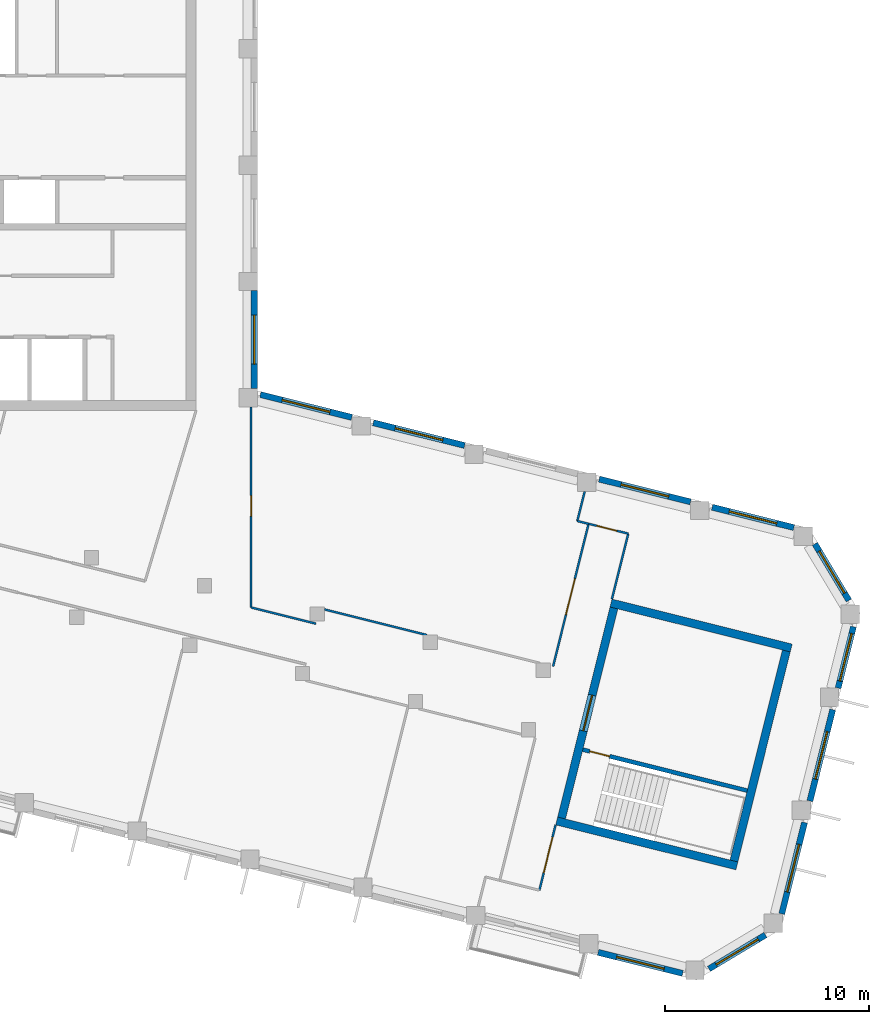
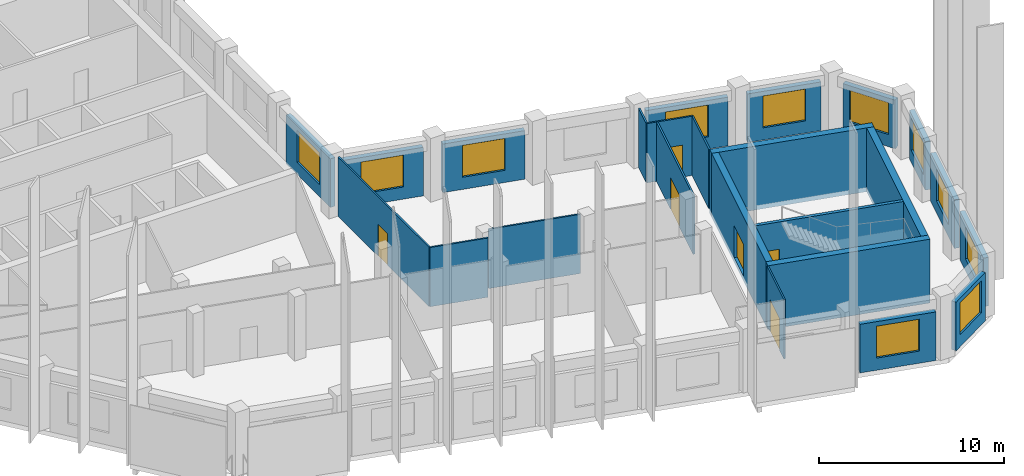
# One storey, part 4 of 8: 25 walls, 11 windows, 6 doors, 17 openings.
"""IFC4 building model written with IfcOpenShell, lengths in metres."""

from ifc_helpers import new_model, si_unit, direction, frame, frame_2d, origin, place, context, subcontext, project, spatial, rectangle, extrude, material, layer, layer_set, type_object, element, fill, save


model = new_model("IFC4")

# Units and contexts
model_context = context("Model", 3, precision=1e-05, world=origin(), true_north=direction((0.0, 1.0)))
body_context = subcontext(model_context, "Body", "Model", "MODEL_VIEW")
ifc_project = project(units=[si_unit("LENGTHUNIT", "METRE"), si_unit("AREAUNIT", "SQUARE_METRE"), si_unit("VOLUMEUNIT", "CUBIC_METRE"), si_unit("PLANEANGLEUNIT", "RADIAN"), si_unit("MASSUNIT", "GRAM", prefix="KILO")], contexts=[model_context])

# Site, building, storey
site_placement = place(None, origin())
site = spatial("IfcSite", under=ifc_project, at=site_placement, CompositionType="ELEMENT")
building_placement = place(site_placement, origin())
building = spatial("IfcBuilding", under=site, at=building_placement, Name="Meshkara Civic Tower", CompositionType="ELEMENT")
storey_placement = place(building_placement, frame((0.0, 0.0, 354.0)))
storey = spatial("IfcBuildingStorey", under=building, at=storey_placement, Name="L81", CompositionType="ELEMENT", Elevation=354.0)

# Wall, opening, door
ifc_material_1 = material(Name="Corridor wall 100")
ifc_layer_1 = layer(ifc_material_1, 0.10009765625)
ifc_layer_set_1 = layer_set([ifc_layer_1], Name="Corridor wall 100")
wall_type_1 = type_object("IfcWallType", Name="Corridor wall 100", PredefinedType="PARTITIONING", material=ifc_layer_set_1)
wall_1_placement = place(storey_placement, frame((33.5, 4.452880859375, 0.0), z_axis=(0.0, 0.0, 1.0), x_axis=(0.0, 1.0, 0.0)))
wall_1 = element("IfcWall", 1, at=wall_1_placement, inside=storey, type_object=wall_type_1, Name="L81-W020", PredefinedType="PARTITIONING", context=body_context, shape_type="SweptSolid", body=[
    extrude(rectangle(XDim=9.816162109375, YDim=0.10009765625, at=frame_2d((4.908203125, 0.0))), origin(), (0.0, 0.0, 1.0), 3.89990234375),
])
opening_1_placement = place(wall_1_placement, frame((4.47998046875, 0.0, 0.0)))
opening_1 = element("IfcOpeningElement", 2, at=opening_1_placement, cuts=wall_1, Name="Opening L81-D009", PredefinedType="OPENING", context=body_context, shape_type="SweptSolid", body=[
    extrude(rectangle(XDim=1.0, YDim=2.10009765625, at=frame_2d((0.5, 1.050048828125))), frame((0.0, 0.06005859375, 0.0), z_axis=(0.0, -1.0, 0.0), x_axis=(1.0, 0.0, 0.0)), (0.0, 0.0, 1.0), 0.1201171875),
])
ifc_material_2 = material(Name="Door 1000 x 2100")
door_type_1 = type_object("IfcDoorType", Name="Door 1000 x 2100", OperationType="SINGLE_SWING_LEFT", PredefinedType="DOOR", material=ifc_material_2)
door_1_placement = place(opening_1_placement, origin())
door_1 = element("IfcDoor", 3, at=door_1_placement, inside=storey, type_object=door_type_1, Name="L81-D009", OperationType="SINGLE_SWING_LEFT", OverallHeight=2.10009765625, OverallWidth=1.0, PredefinedType="DOOR", context=body_context, shape_type="SweptSolid", body=[
    extrude(rectangle(XDim=1.0, YDim=2.10009765625, at=frame_2d((0.5, 1.050048828125))), frame((0.0, 0.02490234375, 0.0), z_axis=(0.0, -1.0, 0.0), x_axis=(1.0, 0.0, 0.0)), (0.0, 0.0, 1.0), 0.050048828125),
])
fill(opening_1, door_1)

# Walls
wall_2_placement = place(storey_placement, frame((36.669921875, 3.6630859375, 0.0), z_axis=(0.0, 0.0, 1.0), x_axis=(-0.970335618677, 0.241761839681, 0.0)))
element("IfcWall", 4, at=wall_2_placement, inside=storey, type_object=wall_type_1, Name="L81-W022", PredefinedType="PARTITIONING", context=body_context, shape_type="SweptSolid", body=[
    extrude(rectangle(XDim=3.266845703125, YDim=0.10009765625, at=frame_2d((1.63330078125, 0.0))), origin(), (0.0, 0.0, 1.0), 3.89990234375),
])
wall_3_placement = place(storey_placement, frame((42.10888671875, 3.10498046875, 0.0), z_axis=(0.0, 0.0, 1.0), x_axis=(-0.970289531541, 0.241946739969, 0.0)))
element("IfcWall", 5, at=wall_3_placement, inside=storey, type_object=wall_type_1, Name="L81-W024", PredefinedType="PARTITIONING", context=body_context, shape_type="SweptSolid", body=[
    extrude(rectangle(XDim=5.17041015625, YDim=0.10009765625, at=frame_2d((2.585205078125, 0.0))), origin(), (0.0, 0.0, 1.0), 3.89990234375),
])

# Wall, opening, door
wall_4_placement = place(storey_placement, frame((47.611083984375, -9.39697265625, 0.0), z_axis=(0.0, 0.0, 1.0), x_axis=(0.241786986316, 0.970329352977, 0.0)))
wall_4 = element("IfcWall", 6, at=wall_4_placement, inside=storey, type_object=wall_type_1, Name="L81-W027", PredefinedType="PARTITIONING", context=body_context, shape_type="SweptSolid", body=[
    extrude(rectangle(XDim=3.2998046875, YDim=0.10009765625, at=frame_2d((1.64990234375, 0.0))), origin(), (0.0, 0.0, 1.0), 3.89990234375),
])
opening_2_placement = place(wall_4_placement, frame((0.8798828125, 0.0, 0.0)))
opening_2 = element("IfcOpeningElement", 7, at=opening_2_placement, cuts=wall_4, Name="Opening L81-D001", PredefinedType="OPENING", context=body_context, shape_type="SweptSolid", body=[
    extrude(rectangle(XDim=1.800048828125, YDim=2.10009765625, at=frame_2d((0.89990234375, 1.050048828125))), frame((0.0, 0.06005859375, 0.0), z_axis=(0.0, -1.0, 0.0), x_axis=(1.0, 0.0, 0.0)), (0.0, 0.0, 1.0), 0.1201171875),
])
ifc_material_3 = material(Name="Door pair 1800 x 2100")
door_type_2 = type_object("IfcDoorType", Name="Door pair 1800 x 2100", OperationType="SINGLE_SWING_LEFT", PredefinedType="DOOR", material=ifc_material_3)
door_2_placement = place(opening_2_placement, origin())
door_2 = element("IfcDoor", 8, at=door_2_placement, inside=storey, type_object=door_type_2, Name="L81-D001", OperationType="DOUBLE_DOOR_SINGLE_SWING", OverallHeight=2.10009765625, OverallWidth=1.800048828125, PredefinedType="DOOR", context=body_context, shape_type="SweptSolid", body=[
    extrude(rectangle(XDim=1.800048828125, YDim=2.10009765625, at=frame_2d((0.89990234375, 1.050048828125))), frame((0.0, 0.02490234375, 0.0), z_axis=(0.0, -1.0, 0.0), x_axis=(1.0, 0.0, 0.0)), (0.0, 0.0, 1.0), 0.050048828125),
])
fill(opening_2, door_2)

wall_5_placement = place(storey_placement, frame((50.02490234375, 8.552001953125, 0.0), z_axis=(0.0, 0.0, 1.0), x_axis=(-0.241937193493, -0.970291911955, 0.0)))
wall_5 = element("IfcWall", 9, at=wall_5_placement, inside=storey, type_object=wall_type_1, Name="L81-W029", PredefinedType="PARTITIONING", context=body_context, shape_type="SweptSolid", body=[
    extrude(rectangle(XDim=7.199951171875, YDim=0.10009765625, at=frame_2d((3.60009765625, 0.0))), origin(), (0.0, 0.0, 1.0), 3.89990234375),
])
opening_3_placement = place(wall_5_placement, frame((2.780029296875, 0.0, 0.0)))
opening_3 = element("IfcOpeningElement", 10, at=opening_3_placement, cuts=wall_5, Name="Opening L81-D005", PredefinedType="OPENING", context=body_context, shape_type="SweptSolid", body=[
    extrude(rectangle(XDim=1.800048828125, YDim=2.10009765625, at=frame_2d((0.89990234375, 1.050048828125))), frame((0.0, 0.06005859375, 0.0), z_axis=(0.0, -1.0, 0.0), x_axis=(1.0, 0.0, 0.0)), (0.0, 0.0, 1.0), 0.1201171875),
])
door_3_placement = place(opening_3_placement, origin())
door_3 = element("IfcDoor", 11, at=door_3_placement, inside=storey, type_object=door_type_2, Name="L81-D005", OperationType="DOUBLE_DOOR_SINGLE_SWING", OverallHeight=2.10009765625, OverallWidth=1.800048828125, PredefinedType="DOOR", context=body_context, shape_type="SweptSolid", body=[
    extrude(rectangle(XDim=1.800048828125, YDim=2.10009765625, at=frame_2d((0.89990234375, 1.050048828125))), frame((0.0, 0.02490234375, 0.0), z_axis=(0.0, -1.0, 0.0), x_axis=(1.0, 0.0, 0.0)), (0.0, 0.0, 1.0), 0.050048828125),
])
fill(opening_3, door_3)

# Wall
wall_6_placement = place(storey_placement, frame((51.1669921875, 4.865966796875, 0.0), z_axis=(0.0, 0.0, 1.0), x_axis=(0.241839284064, 0.97031631991, 0.0)))
element("IfcWall", 12, at=wall_6_placement, inside=storey, type_object=wall_type_1, Name="L81-W030", PredefinedType="PARTITIONING", context=body_context, shape_type="SweptSolid", body=[
    extrude(rectangle(XDim=3.300048828125, YDim=0.10009765625, at=frame_2d((1.64990234375, 0.0))), origin(), (0.0, 0.0, 1.0), 3.89990234375),
])

# Wall, opening, door
wall_7_placement = place(storey_placement, frame((51.965087890625, 8.068115234375, 0.0), z_axis=(0.0, 0.0, 1.0), x_axis=(-0.970278804284, 0.241989755894, 0.0)))
wall_7 = element("IfcWall", 13, at=wall_7_placement, inside=storey, type_object=wall_type_1, Name="L81-W031", PredefinedType="PARTITIONING", context=body_context, shape_type="SweptSolid", body=[
    extrude(rectangle(XDim=1.99951171875, YDim=0.10009765625, at=frame_2d((0.999755859375, 0.0))), origin(), (0.0, 0.0, 1.0), 3.89990234375),
])
opening_4_placement = place(wall_7_placement, frame((0.580078125, 0.0, 0.0)))
opening_4 = element("IfcOpeningElement", 14, at=opening_4_placement, cuts=wall_7, Name="Opening L81-D010", PredefinedType="OPENING", context=body_context, shape_type="SweptSolid", body=[
    extrude(rectangle(XDim=1.0, YDim=2.10009765625, at=frame_2d((0.5, 1.050048828125))), frame((0.0, 0.06005859375, 0.0), z_axis=(0.0, -1.0, 0.0), x_axis=(1.0, 0.0, 0.0)), (0.0, 0.0, 1.0), 0.1201171875),
])
door_4_placement = place(opening_4_placement, origin())
door_4 = element("IfcDoor", 15, at=door_4_placement, inside=storey, type_object=door_type_1, Name="L81-D010", OperationType="SINGLE_SWING_LEFT", OverallHeight=2.10009765625, OverallWidth=1.0, PredefinedType="DOOR", context=body_context, shape_type="SweptSolid", body=[
    extrude(rectangle(XDim=1.0, YDim=2.10009765625, at=frame_2d((0.5, 1.050048828125))), frame((0.0, 0.02490234375, 0.0), z_axis=(0.0, -1.0, 0.0), x_axis=(1.0, 0.0, 0.0)), (0.0, 0.0, 1.0), 0.050048828125),
])
fill(opening_4, door_4)

# Wall, opening, window
ifc_material_4 = material(Name="Insulated infill panel with bronze anodised aluminium cladding", Category="aluminium")
ifc_layer_2 = layer(ifc_material_4, 0.300048828125)
ifc_layer_set_2 = layer_set([ifc_layer_2], Name="EXTERNAL INFILL WALL 300")
wall_type_2 = type_object("IfcWallType", Name="EXTERNAL INFILL WALL 300", PredefinedType="SOLIDWALL", material=ifc_layer_set_2)
wall_8_placement = place(storey_placement, frame((60.075927734375, 8.364990234375, 0.0), z_axis=(0.0, 0.0, 1.0), x_axis=(-0.970323340708, 0.24181111322, 0.0)))
wall_8 = element("IfcWall", 16, at=wall_8_placement, inside=storey, type_object=wall_type_2, Name="External wall", PredefinedType="SOLIDWALL", context=body_context, shape_type="SweptSolid", body=[
    extrude(rectangle(XDim=4.123291015625, YDim=0.300048828125, at=frame_2d((2.0615234375, 0.0))), origin(), (0.0, 0.0, 1.0), 3.199951171875),
])
opening_5_placement = place(wall_8_placement, frame((0.862060546875, 0.0, 0.800048828125)))
opening_5 = element("IfcOpeningElement", 17, at=opening_5_placement, cuts=wall_8, Name="Opening W7", PredefinedType="OPENING", context=body_context, shape_type="SweptSolid", body=[
    extrude(rectangle(XDim=2.39990234375, YDim=2.10009765625, at=frame_2d((1.199951171875, 1.050048828125))), frame((0.0, 0.159912109375, 0.0), z_axis=(0.0, -1.0, 0.0), x_axis=(1.0, 0.0, 0.0)), (0.0, 0.0, 1.0), 0.320068359375),
])
ifc_material_5 = material(Name="Tinted double glazing", Category="glass")
window_type = type_object("IfcWindowType", Name="WINDOW 2400x2100", PartitioningType="DOUBLE_PANEL_VERTICAL", PredefinedType="WINDOW", material=ifc_material_5)
window_1_placement = place(opening_5_placement, origin())
window_1 = element("IfcWindow", 18, at=window_1_placement, inside=storey, type_object=window_type, Name="Window", OverallHeight=2.10009765625, OverallWidth=2.39990234375, PartitioningType="DOUBLE_PANEL_VERTICAL", PredefinedType="WINDOW", context=body_context, shape_type="SweptSolid", body=[
    extrude(rectangle(XDim=2.39990234375, YDim=2.10009765625, at=frame_2d((1.199951171875, 1.050048828125))), frame((0.0, 0.030029296875, 0.0), z_axis=(0.0, -1.0, 0.0), x_axis=(1.0, 0.0, 0.0)), (0.0, 0.0, 1.0), 0.06005859375),
])
fill(opening_5, window_1)

wall_9_placement = place(storey_placement, frame((55.01611328125, 9.6259765625, 0.0), z_axis=(0.0, 0.0, 1.0), x_axis=(-0.970298093093, 0.241912402618, 0.0)))
wall_9 = element("IfcWall", 19, at=wall_9_placement, inside=storey, type_object=wall_type_2, Name="External wall", PredefinedType="SOLIDWALL", context=body_context, shape_type="SweptSolid", body=[
    extrude(rectangle(XDim=4.609130859375, YDim=0.300048828125, at=frame_2d((2.3046875, 0.0))), origin(), (0.0, 0.0, 1.0), 3.199951171875),
])
opening_6_placement = place(wall_9_placement, frame((1.10498046875, 0.0, 0.800048828125)))
opening_6 = element("IfcOpeningElement", 20, at=opening_6_placement, cuts=wall_9, Name="Opening W7", PredefinedType="OPENING", context=body_context, shape_type="SweptSolid", body=[
    extrude(rectangle(XDim=2.39990234375, YDim=2.10009765625, at=frame_2d((1.199951171875, 1.050048828125))), frame((0.0, 0.159912109375, 0.0), z_axis=(0.0, -1.0, 0.0), x_axis=(1.0, 0.0, 0.0)), (0.0, 0.0, 1.0), 0.320068359375),
])
window_2_placement = place(opening_6_placement, origin())
window_2 = element("IfcWindow", 21, at=window_2_placement, inside=storey, type_object=window_type, Name="Window", OverallHeight=2.10009765625, OverallWidth=2.39990234375, PartitioningType="DOUBLE_PANEL_VERTICAL", PredefinedType="WINDOW", context=body_context, shape_type="SweptSolid", body=[
    extrude(rectangle(XDim=2.39990234375, YDim=2.10009765625, at=frame_2d((1.199951171875, 1.050048828125))), frame((0.0, 0.030029296875, 0.0), z_axis=(0.0, -1.0, 0.0), x_axis=(1.0, 0.0, 0.0)), (0.0, 0.0, 1.0), 0.06005859375),
])
fill(opening_6, window_2)

wall_10_placement = place(storey_placement, frame((43.9541015625, 12.384033203125, 0.0), z_axis=(0.0, 0.0, 1.0), x_axis=(-0.970285689791, 0.241962146187, 0.0)))
wall_10 = element("IfcWall", 22, at=wall_10_placement, inside=storey, type_object=wall_type_2, Name="External wall", PredefinedType="SOLIDWALL", context=body_context, shape_type="SweptSolid", body=[
    extrude(rectangle(XDim=4.608154296875, YDim=0.300048828125, at=frame_2d((2.30419921875, 0.0))), origin(), (0.0, 0.0, 1.0), 3.199951171875),
])
opening_7_placement = place(wall_10_placement, frame((1.10400390625, 0.0, 0.800048828125)))
opening_7 = element("IfcOpeningElement", 23, at=opening_7_placement, cuts=wall_10, Name="Opening W7", PredefinedType="OPENING", context=body_context, shape_type="SweptSolid", body=[
    extrude(rectangle(XDim=2.39990234375, YDim=2.10009765625, at=frame_2d((1.199951171875, 1.050048828125))), frame((0.0, 0.159912109375, 0.0), z_axis=(0.0, -1.0, 0.0), x_axis=(1.0, 0.0, 0.0)), (0.0, 0.0, 1.0), 0.320068359375),
])
window_3_placement = place(opening_7_placement, origin())
window_3 = element("IfcWindow", 24, at=window_3_placement, inside=storey, type_object=window_type, Name="Window", OverallHeight=2.10009765625, OverallWidth=2.39990234375, PartitioningType="DOUBLE_PANEL_VERTICAL", PredefinedType="WINDOW", context=body_context, shape_type="SweptSolid", body=[
    extrude(rectangle(XDim=2.39990234375, YDim=2.10009765625, at=frame_2d((1.199951171875, 1.050048828125))), frame((0.0, 0.030029296875, 0.0), z_axis=(0.0, -1.0, 0.0), x_axis=(1.0, 0.0, 0.0)), (0.0, 0.0, 1.0), 0.06005859375),
])
fill(opening_7, window_3)

wall_11_placement = place(storey_placement, frame((38.424072265625, 13.762939453125, 0.0), z_axis=(0.0, 0.0, 1.0), x_axis=(-0.970248341479, 0.24211186641, 0.0)))
wall_11 = element("IfcWall", 25, at=wall_11_placement, inside=storey, type_object=wall_type_2, Name="External wall", PredefinedType="SOLIDWALL", context=body_context, shape_type="SweptSolid", body=[
    extrude(rectangle(XDim=4.609375, YDim=0.300048828125, at=frame_2d((2.3046875, 0.0))), origin(), (0.0, 0.0, 1.0), 3.199951171875),
])
opening_8_placement = place(wall_11_placement, frame((1.10498046875, 0.0, 0.800048828125)))
opening_8 = element("IfcOpeningElement", 26, at=opening_8_placement, cuts=wall_11, Name="Opening W7", PredefinedType="OPENING", context=body_context, shape_type="SweptSolid", body=[
    extrude(rectangle(XDim=2.39990234375, YDim=2.10009765625, at=frame_2d((1.199951171875, 1.050048828125))), frame((0.0, 0.159912109375, 0.0), z_axis=(0.0, -1.0, 0.0), x_axis=(1.0, 0.0, 0.0)), (0.0, 0.0, 1.0), 0.320068359375),
])
window_4_placement = place(opening_8_placement, origin())
window_4 = element("IfcWindow", 27, at=window_4_placement, inside=storey, type_object=window_type, Name="Window", OverallHeight=2.10009765625, OverallWidth=2.39990234375, PartitioningType="DOUBLE_PANEL_VERTICAL", PredefinedType="WINDOW", context=body_context, shape_type="SweptSolid", body=[
    extrude(rectangle(XDim=2.39990234375, YDim=2.10009765625, at=frame_2d((1.199951171875, 1.050048828125))), frame((0.0, 0.030029296875, 0.0), z_axis=(0.0, -1.0, 0.0), x_axis=(1.0, 0.0, 0.0)), (0.0, 0.0, 1.0), 0.06005859375),
])
fill(opening_8, window_4)

wall_12_placement = place(storey_placement, frame((33.64990234375, 15.1689453125, 0.0), z_axis=(0.0, 0.0, 1.0), x_axis=(0.0, 1.0, 0.0)))
wall_12 = element("IfcWall", 28, at=wall_12_placement, inside=storey, type_object=wall_type_2, Name="External wall", PredefinedType="SOLIDWALL", context=body_context, shape_type="SweptSolid", body=[
    extrude(rectangle(XDim=4.800048828125, YDim=0.300048828125, at=frame_2d((2.39990234375, 0.0))), origin(), (0.0, 0.0, 1.0), 3.199951171875),
])
opening_9_placement = place(wall_12_placement, frame((1.199951171875, 0.0, 0.800048828125)))
opening_9 = element("IfcOpeningElement", 29, at=opening_9_placement, cuts=wall_12, Name="Opening W7", PredefinedType="OPENING", context=body_context, shape_type="SweptSolid", body=[
    extrude(rectangle(XDim=2.39990234375, YDim=2.10009765625, at=frame_2d((1.199951171875, 1.050048828125))), frame((0.0, 0.159912109375, 0.0), z_axis=(0.0, -1.0, 0.0), x_axis=(1.0, 0.0, 0.0)), (0.0, 0.0, 1.0), 0.320068359375),
])
window_5_placement = place(opening_9_placement, origin())
window_5 = element("IfcWindow", 30, at=window_5_placement, inside=storey, type_object=window_type, Name="Window", OverallHeight=2.10009765625, OverallWidth=2.39990234375, PartitioningType="DOUBLE_PANEL_VERTICAL", PredefinedType="WINDOW", context=body_context, shape_type="SweptSolid", body=[
    extrude(rectangle(XDim=2.39990234375, YDim=2.10009765625, at=frame_2d((1.199951171875, 1.050048828125))), frame((0.0, 0.030029296875, 0.0), z_axis=(0.0, -1.0, 0.0), x_axis=(1.0, 0.0, 0.0)), (0.0, 0.0, 1.0), 0.06005859375),
])
fill(opening_9, window_5)

wall_13_placement = place(storey_placement, frame((50.491943359375, -12.43505859375, 0.0), z_axis=(0.0, 0.0, 1.0), x_axis=(0.970323940244, -0.241808707429, 0.0)))
wall_13 = element("IfcWall", 31, at=wall_13_placement, inside=storey, type_object=wall_type_2, Name="External wall", PredefinedType="SOLIDWALL", context=body_context, shape_type="SweptSolid", body=[
    extrude(rectangle(XDim=4.267822265625, YDim=0.300048828125, at=frame_2d((2.1337890625, 0.0))), origin(), (0.0, 0.0, 1.0), 3.199951171875),
])
opening_10_placement = place(wall_13_placement, frame((0.93408203125, 0.0, 0.800048828125)))
opening_10 = element("IfcOpeningElement", 32, at=opening_10_placement, cuts=wall_13, Name="Opening W7", PredefinedType="OPENING", context=body_context, shape_type="SweptSolid", body=[
    extrude(rectangle(XDim=2.39990234375, YDim=2.10009765625, at=frame_2d((1.199951171875, 1.050048828125))), frame((0.0, 0.159912109375, 0.0), z_axis=(0.0, -1.0, 0.0), x_axis=(1.0, 0.0, 0.0)), (0.0, 0.0, 1.0), 0.320068359375),
])
window_6_placement = place(opening_10_placement, origin())
window_6 = element("IfcWindow", 33, at=window_6_placement, inside=storey, type_object=window_type, Name="Window", OverallHeight=2.10009765625, OverallWidth=2.39990234375, PartitioningType="DOUBLE_PANEL_VERTICAL", PredefinedType="WINDOW", context=body_context, shape_type="SweptSolid", body=[
    extrude(rectangle(XDim=2.39990234375, YDim=2.10009765625, at=frame_2d((1.199951171875, 1.050048828125))), frame((0.0, 0.030029296875, 0.0), z_axis=(0.0, -1.0, 0.0), x_axis=(1.0, 0.0, 0.0)), (0.0, 0.0, 1.0), 0.06005859375),
])
fill(opening_10, window_6)

wall_14_placement = place(storey_placement, frame((55.9189453125, -13.2470703125, 0.0), z_axis=(0.0, 0.0, 1.0), x_axis=(0.857239224167, 0.514918355226, 0.0)))
wall_14 = element("IfcWall", 34, at=wall_14_placement, inside=storey, type_object=wall_type_2, Name="External wall", PredefinedType="SOLIDWALL", context=body_context, shape_type="SweptSolid", body=[
    extrude(rectangle(XDim=3.22802734375, YDim=0.300048828125, at=frame_2d((1.614013671875, 0.0))), origin(), (0.0, 0.0, 1.0), 3.199951171875),
])
opening_11_placement = place(wall_14_placement, frame((0.4140625, 0.0, 0.800048828125)))
opening_11 = element("IfcOpeningElement", 35, at=opening_11_placement, cuts=wall_14, Name="Opening W7", PredefinedType="OPENING", context=body_context, shape_type="SweptSolid", body=[
    extrude(rectangle(XDim=2.39990234375, YDim=2.10009765625, at=frame_2d((1.199951171875, 1.050048828125))), frame((0.0, 0.159912109375, 0.0), z_axis=(0.0, -1.0, 0.0), x_axis=(1.0, 0.0, 0.0)), (0.0, 0.0, 1.0), 0.320068359375),
])
window_7_placement = place(opening_11_placement, origin())
window_7 = element("IfcWindow", 36, at=window_7_placement, inside=storey, type_object=window_type, Name="Window", OverallHeight=2.10009765625, OverallWidth=2.39990234375, PartitioningType="DOUBLE_PANEL_VERTICAL", PredefinedType="WINDOW", context=body_context, shape_type="SweptSolid", body=[
    extrude(rectangle(XDim=2.39990234375, YDim=2.10009765625, at=frame_2d((1.199951171875, 1.050048828125))), frame((0.0, 0.030029296875, 0.0), z_axis=(0.0, -1.0, 0.0), x_axis=(1.0, 0.0, 0.0)), (0.0, 0.0, 1.0), 0.06005859375),
])
fill(opening_11, window_7)

wall_15_placement = place(storey_placement, frame((59.485107421875, -10.552001953125, 0.0), z_axis=(0.0, 0.0, 1.0), x_axis=(0.241924836652, 0.970294992984, 0.0)))
wall_15 = element("IfcWall", 37, at=wall_15_placement, inside=storey, type_object=wall_type_2, Name="External wall", PredefinedType="SOLIDWALL", context=body_context, shape_type="SweptSolid", body=[
    extrude(rectangle(XDim=4.60888671875, YDim=0.300048828125, at=frame_2d((2.304443359375, 0.0))), origin(), (0.0, 0.0, 1.0), 3.199951171875),
])
opening_12_placement = place(wall_15_placement, frame((1.10498046875, 0.0, 0.800048828125)))
opening_12 = element("IfcOpeningElement", 38, at=opening_12_placement, cuts=wall_15, Name="Opening W7", PredefinedType="OPENING", context=body_context, shape_type="SweptSolid", body=[
    extrude(rectangle(XDim=2.39990234375, YDim=2.10009765625, at=frame_2d((1.199951171875, 1.050048828125))), frame((0.0, 0.159912109375, 0.0), z_axis=(0.0, -1.0, 0.0), x_axis=(1.0, 0.0, 0.0)), (0.0, 0.0, 1.0), 0.320068359375),
])
window_8_placement = place(opening_12_placement, origin())
window_8 = element("IfcWindow", 39, at=window_8_placement, inside=storey, type_object=window_type, Name="Window", OverallHeight=2.10009765625, OverallWidth=2.39990234375, PartitioningType="DOUBLE_PANEL_VERTICAL", PredefinedType="WINDOW", context=body_context, shape_type="SweptSolid", body=[
    extrude(rectangle(XDim=2.39990234375, YDim=2.10009765625, at=frame_2d((1.199951171875, 1.050048828125))), frame((0.0, 0.030029296875, 0.0), z_axis=(0.0, -1.0, 0.0), x_axis=(1.0, 0.0, 0.0)), (0.0, 0.0, 1.0), 0.06005859375),
])
fill(opening_12, window_8)

wall_16_placement = place(storey_placement, frame((60.864013671875, -5.02099609375, 0.0), z_axis=(0.0, 0.0, 1.0), x_axis=(0.241775045801, 0.97033232824, 0.0)))
wall_16 = element("IfcWall", 40, at=wall_16_placement, inside=storey, type_object=wall_type_2, Name="External wall", PredefinedType="SOLIDWALL", context=body_context, shape_type="SweptSolid", body=[
    extrude(rectangle(XDim=4.607666015625, YDim=0.300048828125, at=frame_2d((2.3037109375, 0.0))), origin(), (0.0, 0.0, 1.0), 3.199951171875),
])
opening_13_placement = place(wall_16_placement, frame((1.10400390625, 0.0, 0.800048828125)))
opening_13 = element("IfcOpeningElement", 41, at=opening_13_placement, cuts=wall_16, Name="Opening W7", PredefinedType="OPENING", context=body_context, shape_type="SweptSolid", body=[
    extrude(rectangle(XDim=2.39990234375, YDim=2.10009765625, at=frame_2d((1.199951171875, 1.050048828125))), frame((0.0, 0.159912109375, 0.0), z_axis=(0.0, -1.0, 0.0), x_axis=(1.0, 0.0, 0.0)), (0.0, 0.0, 1.0), 0.320068359375),
])
window_9_placement = place(opening_13_placement, origin())
window_9 = element("IfcWindow", 42, at=window_9_placement, inside=storey, type_object=window_type, Name="Window", OverallHeight=2.10009765625, OverallWidth=2.39990234375, PartitioningType="DOUBLE_PANEL_VERTICAL", PredefinedType="WINDOW", context=body_context, shape_type="SweptSolid", body=[
    extrude(rectangle(XDim=2.39990234375, YDim=2.10009765625, at=frame_2d((1.199951171875, 1.050048828125))), frame((0.0, 0.030029296875, 0.0), z_axis=(0.0, -1.0, 0.0), x_axis=(1.0, 0.0, 0.0)), (0.0, 0.0, 1.0), 0.06005859375),
])
fill(opening_13, window_9)

wall_17_placement = place(storey_placement, frame((62.241943359375, 0.509033203125, 0.0), z_axis=(0.0, 0.0, 1.0), x_axis=(0.241941811838, 0.970290760383, 0.0)))
wall_17 = element("IfcWall", 43, at=wall_17_placement, inside=storey, type_object=wall_type_2, Name="External wall", PredefinedType="SOLIDWALL", context=body_context, shape_type="SweptSolid", body=[
    extrude(rectangle(XDim=3.095947265625, YDim=0.300048828125, at=frame_2d((1.5478515625, 0.0))), origin(), (0.0, 0.0, 1.0), 3.199951171875),
])
opening_14_placement = place(wall_17_placement, frame((0.347900390625, 0.0, 0.800048828125)))
opening_14 = element("IfcOpeningElement", 44, at=opening_14_placement, cuts=wall_17, Name="Opening W7", PredefinedType="OPENING", context=body_context, shape_type="SweptSolid", body=[
    extrude(rectangle(XDim=2.39990234375, YDim=2.10009765625, at=frame_2d((1.199951171875, 1.050048828125))), frame((0.0, 0.159912109375, 0.0), z_axis=(0.0, -1.0, 0.0), x_axis=(1.0, 0.0, 0.0)), (0.0, 0.0, 1.0), 0.320068359375),
])
window_10_placement = place(opening_14_placement, origin())
window_10 = element("IfcWindow", 45, at=window_10_placement, inside=storey, type_object=window_type, Name="Window", OverallHeight=2.10009765625, OverallWidth=2.39990234375, PartitioningType="DOUBLE_PANEL_VERTICAL", PredefinedType="WINDOW", context=body_context, shape_type="SweptSolid", body=[
    extrude(rectangle(XDim=2.39990234375, YDim=2.10009765625, at=frame_2d((1.199951171875, 1.050048828125))), frame((0.0, 0.030029296875, 0.0), z_axis=(0.0, -1.0, 0.0), x_axis=(1.0, 0.0, 0.0)), (0.0, 0.0, 1.0), 0.06005859375),
])
fill(opening_14, window_10)

wall_18_placement = place(storey_placement, frame((62.77099609375, 4.799072265625, 0.0), z_axis=(0.0, 0.0, 1.0), x_axis=(-0.514951742604, 0.857219168468, 0.0)))
wall_18 = element("IfcWall", 46, at=wall_18_placement, inside=storey, type_object=wall_type_2, Name="External wall", PredefinedType="SOLIDWALL", context=body_context, shape_type="SweptSolid", body=[
    extrude(rectangle(XDim=3.227783203125, YDim=0.300048828125, at=frame_2d((1.61376953125, 0.0))), origin(), (0.0, 0.0, 1.0), 3.199951171875),
])
opening_15_placement = place(wall_18_placement, frame((0.4140625, 0.0, 0.800048828125)))
opening_15 = element("IfcOpeningElement", 47, at=opening_15_placement, cuts=wall_18, Name="Opening W7", PredefinedType="OPENING", context=body_context, shape_type="SweptSolid", body=[
    extrude(rectangle(XDim=2.39990234375, YDim=2.10009765625, at=frame_2d((1.199951171875, 1.050048828125))), frame((0.0, 0.159912109375, 0.0), z_axis=(0.0, -1.0, 0.0), x_axis=(1.0, 0.0, 0.0)), (0.0, 0.0, 1.0), 0.320068359375),
])
window_11_placement = place(opening_15_placement, origin())
window_11 = element("IfcWindow", 48, at=window_11_placement, inside=storey, type_object=window_type, Name="Window", OverallHeight=2.10009765625, OverallWidth=2.39990234375, PartitioningType="DOUBLE_PANEL_VERTICAL", PredefinedType="WINDOW", context=body_context, shape_type="SweptSolid", body=[
    extrude(rectangle(XDim=2.39990234375, YDim=2.10009765625, at=frame_2d((1.199951171875, 1.050048828125))), frame((0.0, 0.030029296875, 0.0), z_axis=(0.0, -1.0, 0.0), x_axis=(1.0, 0.0, 0.0)), (0.0, 0.0, 1.0), 0.06005859375),
])
fill(opening_15, window_11)

# Walls
ifc_material_6 = material(Name="Concrete C50", Category="concrete")
ifc_layer_3 = layer(ifc_material_6, 0.39990234375)
ifc_layer_set_3 = layer_set([ifc_layer_3], Name="End core ring wall 400 C50")
wall_type_3 = type_object("IfcWallType", Name="End core ring wall 400 C50", PredefinedType="SHEAR", material=ifc_layer_set_3)
wall_19_placement = place(storey_placement, frame((48.4580078125, -6.0009765625, -0.300048828125), z_axis=(0.0, 0.0, 1.0), x_axis=(0.970281225948, -0.241980045814, 0.0)))
element("IfcWall", 49, at=wall_19_placement, inside=storey, type_object=wall_type_3, Name="L81-C032", PredefinedType="SHEAR", context=body_context, shape_type="SweptSolid", body=[
    extrude(rectangle(XDim=9.099609375, YDim=0.39990234375, at=frame_2d((4.5498046875, 0.0))), origin(), (0.0, 0.0, 1.0), 4.199951171875),
])
wall_20_placement = place(storey_placement, frame((51.118896484375, 4.672119140625, -0.300048828125), z_axis=(0.0, 0.0, 1.0), x_axis=(0.970300121521, -0.241904266553, 0.0)))
element("IfcWall", 50, at=wall_20_placement, inside=storey, type_object=wall_type_3, Name="L81-C033", PredefinedType="SHEAR", context=body_context, shape_type="SweptSolid", body=[
    extrude(rectangle(XDim=9.099365234375, YDim=0.39990234375, at=frame_2d((4.5498046875, 0.0))), origin(), (0.0, 0.0, 1.0), 4.199951171875),
])

# Wall, opening, door
wall_21_placement = place(storey_placement, frame((48.699951171875, -5.85595703125, -0.300048828125), z_axis=(0.0, 0.0, 1.0), x_axis=(0.241869030534, 0.970308905488, 0.0)))
wall_21 = element("IfcWall", 51, at=wall_21_placement, inside=storey, type_object=wall_type_3, Name="L81-C034", PredefinedType="SHEAR", context=body_context, shape_type="SweptSolid", body=[
    extrude(rectangle(XDim=10.6005859375, YDim=0.39990234375, at=frame_2d((5.30029296875, 0.0))), origin(), (0.0, 0.0, 1.0), 4.199951171875),
])
opening_16_placement = place(wall_21_placement, frame((4.39990234375, 0.0, 0.300048828125)))
opening_16 = element("IfcOpeningElement", 52, at=opening_16_placement, cuts=wall_21, Name="Opening L81-K202", PredefinedType="OPENING", context=body_context, shape_type="SweptSolid", body=[
    extrude(rectangle(XDim=1.800048828125, YDim=2.10009765625, at=frame_2d((0.89990234375, 1.050048828125))), frame((0.0, 0.2099609375, 0.0), z_axis=(0.0, -1.0, 0.0), x_axis=(1.0, 0.0, 0.0)), (0.0, 0.0, 1.0), 0.419921875),
])
ifc_material_7 = material(Name="Fire-rated door leaf in steel frame", Category="steel")
door_type_3 = type_object("IfcDoorType", Name="Core double door 1800 EI 60", OperationType="DOUBLE_DOOR_SINGLE_SWING", PredefinedType="DOOR", material=ifc_material_7)
door_5_placement = place(opening_16_placement, origin())
door_5 = element("IfcDoor", 53, at=door_5_placement, inside=storey, type_object=door_type_3, Name="L81-K202", OperationType="DOUBLE_DOOR_SINGLE_SWING", OverallHeight=2.10009765625, OverallWidth=1.800048828125, PredefinedType="DOOR", context=body_context, shape_type="SweptSolid", body=[
    extrude(rectangle(XDim=1.800048828125, YDim=2.10009765625, at=frame_2d((0.89990234375, 1.050048828125))), frame((0.0, 0.02490234375, 0.0), z_axis=(0.0, -1.0, 0.0), x_axis=(1.0, 0.0, 0.0)), (0.0, 0.0, 1.0), 0.050048828125),
])
fill(opening_16, door_5)

# Walls
wall_22_placement = place(storey_placement, frame((57.14208984375, -7.9599609375, -0.300048828125), z_axis=(0.0, 0.0, 1.0), x_axis=(0.241890652548, 0.970303515509, 0.0)))
element("IfcWall", 54, at=wall_22_placement, inside=storey, type_object=wall_type_3, Name="L81-C035", PredefinedType="SHEAR", context=body_context, shape_type="SweptSolid", body=[
    extrude(rectangle(XDim=10.599609375, YDim=0.39990234375, at=frame_2d((5.2998046875, 0.0))), origin(), (0.0, 0.0, 1.0), 4.199951171875),
])
ifc_material_8 = material(Name="Partition 100")
ifc_layer_4 = layer(ifc_material_8, 0.10009765625)
ifc_layer_set_4 = layer_set([ifc_layer_4], Name="Partition 100")
wall_type_4 = type_object("IfcWallType", Name="Partition 100", PredefinedType="PARTITIONING", material=ifc_layer_set_4)
wall_23_placement = place(storey_placement, frame((49.470947265625, 8.68994140625, 0.0), z_axis=(0.0, 0.0, 1.0), x_axis=(0.241646512959, 0.970364345375, 0.0)))
element("IfcWall", 55, at=wall_23_placement, inside=storey, type_object=wall_type_4, Name="L81-W042", PredefinedType="PARTITIONING", context=body_context, shape_type="SweptSolid", body=[
    extrude(rectangle(XDim=1.486083984375, YDim=0.10009765625, at=frame_2d((0.7431640625, 0.0))), origin(), (0.0, 0.0, 1.0), 3.89990234375),
])
wall_24_placement = place(storey_placement, frame((50.029052734375, 8.551025390625, 0.0), z_axis=(0.0, 0.0, 1.0), x_axis=(-0.970391687927, 0.241536688727, 0.0)))
element("IfcWall", 56, at=wall_24_placement, inside=storey, type_object=wall_type_4, Name="L81-W043", PredefinedType="PARTITIONING", context=body_context, shape_type="SweptSolid", body=[
    extrude(rectangle(XDim=0.5751953125, YDim=0.10009765625, at=frame_2d((0.28759765625, 0.0))), origin(), (0.0, 0.0, 1.0), 3.89990234375),
])

# Wall, opening, door
ifc_material_9 = material(Name="Concrete C40/50", Category="concrete")
ifc_layer_5 = layer(ifc_material_9, 0.199951171875)
ifc_layer_set_5 = layer_set([ifc_layer_5], Name="Stair enclosure wall 200 C40/50")
wall_type_5 = type_object("IfcWallType", Name="Stair enclosure wall 200 C40/50", PredefinedType="SOLIDWALL", material=ifc_layer_set_5)
wall_25_placement = place(storey_placement, frame((49.740966796875, -2.508056640625, 0.0), z_axis=(0.0, 0.0, 1.0), x_axis=(0.970289402158, -0.241947258837, 0.0)))
wall_25 = element("IfcWall", 57, at=wall_25_placement, inside=storey, type_object=wall_type_5, Name="L81-C036", PredefinedType="SOLIDWALL", context=body_context, shape_type="SweptSolid", body=[
    extrude(rectangle(XDim=8.299560546875, YDim=0.199951171875, at=frame_2d((4.14990234375, 0.0))), origin(), (0.0, 0.0, 1.0), 3.89990234375),
])
opening_17_placement = place(wall_25_placement, frame((0.35009765625, 0.0, 0.0)))
opening_17 = element("IfcOpeningElement", 58, at=opening_17_placement, cuts=wall_25, Name="Opening L81-K201", PredefinedType="OPENING", context=body_context, shape_type="SweptSolid", body=[
    extrude(rectangle(XDim=1.0, YDim=2.10009765625, at=frame_2d((0.5, 1.050048828125))), frame((0.0, 0.10986328125, 0.0), z_axis=(0.0, -1.0, 0.0), x_axis=(1.0, 0.0, 0.0)), (0.0, 0.0, 1.0), 0.219970703125),
])
ifc_material_10 = material(Name="Fire-rated door leaf in steel frame", Category="steel")
door_type_4 = type_object("IfcDoorType", Name="Stair door 1000 EI 120", OperationType="SINGLE_SWING_LEFT", PredefinedType="DOOR", material=ifc_material_10)
door_6_placement = place(opening_17_placement, origin())
door_6 = element("IfcDoor", 59, at=door_6_placement, inside=storey, type_object=door_type_4, Name="L81-K201", OperationType="SINGLE_SWING_LEFT", OverallHeight=2.10009765625, OverallWidth=1.0, PredefinedType="DOOR", context=body_context, shape_type="SweptSolid", body=[
    extrude(rectangle(XDim=1.0, YDim=2.10009765625, at=frame_2d((0.5, 1.050048828125))), frame((0.0, 0.02490234375, 0.0), z_axis=(0.0, -1.0, 0.0), x_axis=(1.0, 0.0, 0.0)), (0.0, 0.0, 1.0), 0.050048828125),
])
fill(opening_17, door_6)

save(model, "model.ifc")
